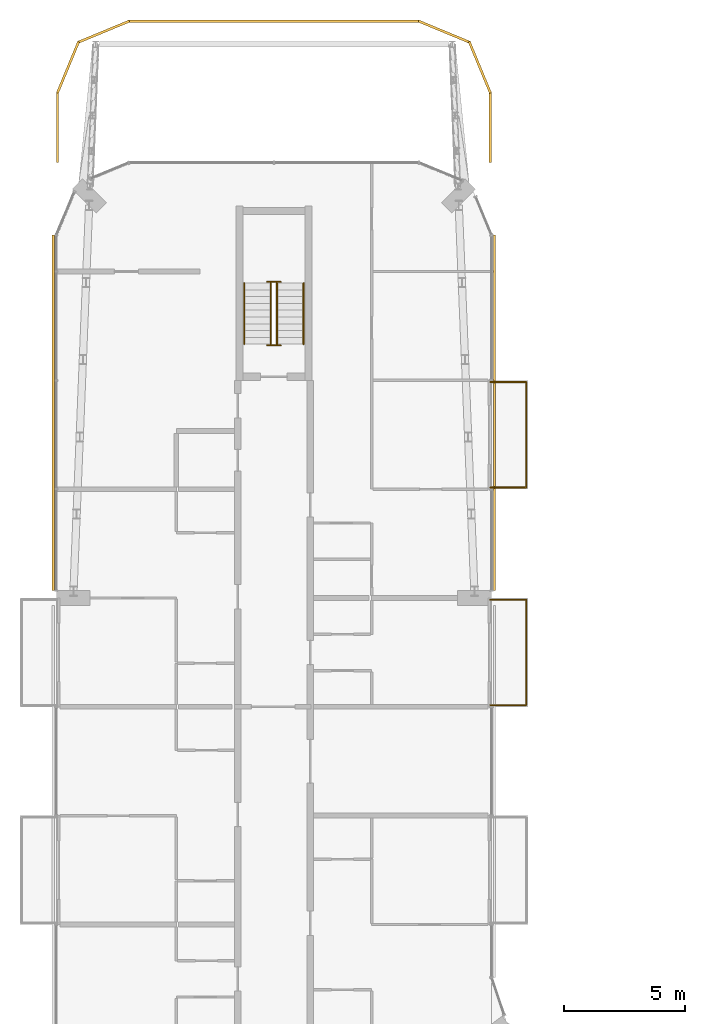
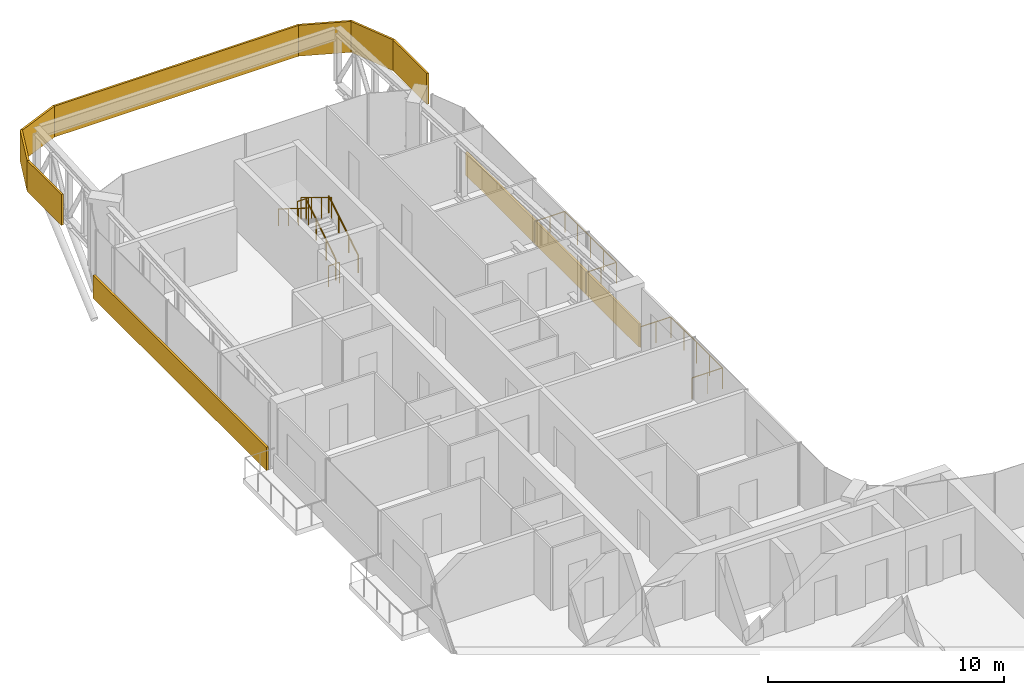
# One storey, part 17 of 17: 9 coverings, 8 railings.
"""IFC4 building model written with IfcOpenShell, lengths in metres."""

from ifc_helpers import new_model, si_unit, direction, frame, origin, origin_2d, place, context, subcontext, project, spatial, rectangle, circle, extrude, material, layer, layer_set, type_object, element, save


model = new_model("IFC4")

# Units and contexts
model_context = context("Model", 3, precision=1e-05, world=origin(), true_north=direction((0.0, 1.0)))
body_context = subcontext(model_context, "Body", "Model", "MODEL_VIEW")
ifc_project = project(units=[si_unit("LENGTHUNIT", "METRE"), si_unit("AREAUNIT", "SQUARE_METRE"), si_unit("VOLUMEUNIT", "CUBIC_METRE"), si_unit("PLANEANGLEUNIT", "RADIAN"), si_unit("MASSUNIT", "GRAM", prefix="KILO")], contexts=[model_context])

# Site, building, storey
site_placement = place(None, origin())
site = spatial("IfcSite", under=ifc_project, at=site_placement, CompositionType="ELEMENT")
building_placement = place(site_placement, origin())
building = spatial("IfcBuilding", under=site, at=building_placement, Name="Plateau Cross Towers", CompositionType="ELEMENT")
storey_placement = place(building_placement, frame((0.0, 0.0, 222.39990234375)))
storey = spatial("IfcBuildingStorey", under=building, at=storey_placement, Name="L58", CompositionType="ELEMENT", Elevation=222.39990234375)

# Coverings
ifc_material_1 = material(Name="Aluminium composite cladding", Category="aluminium")
ifc_layer_1 = layer(ifc_material_1, 0.10009765625)
ifc_layer_set_1 = layer_set([ifc_layer_1], Name="Aluminium composite cladding")
covering_type_1 = type_object("IfcCoveringType", Name="Deck fascia panel 100", PredefinedType="CLADDING", material=ifc_layer_set_1)
covering_1_placement = place(storey_placement, frame((17.949951171875, 55.449951171875, 1.650146484375), z_axis=(0.0, 0.0, 1.0), x_axis=(0.0, 1.0, 0.0)))
element("IfcCovering", 1, at=covering_1_placement, inside=storey, type_object=covering_type_1, Name="Deck fascia 1", PredefinedType="CLADDING", context=body_context, shape_type="SweptSolid", body=[
    extrude(rectangle(XDim=2.89990234375, YDim=0.10009765625, at=origin_2d()), origin(), (0.0, 0.0, 1.0), 1.60009765625),
])
for number, where, z_axis, x_axis, name in (
    (2, (17.514404296875, 57.94140625, 1.650146484375), (0.0, 0.0, 1.0), (-0.382683609737, 0.923879459041, 0.0), "Deck fascia 2"),
    (3, (16.04150390625, 59.41455078125, 1.650146484375), (0.0, 0.0, 1.0), (-0.923879459041, 0.382683609737, 0.0), "Deck fascia 3"),
):
    element("IfcCovering", number, at=place(storey_placement, frame(where, z_axis=z_axis, x_axis=x_axis)), inside=storey, type_object=covering_type_1, Name=name, PredefinedType="CLADDING", context=body_context, shape_type="SweptSolid", body=[
        extrude(rectangle(XDim=2.296142578125, YDim=0.10009765625, at=origin_2d()), origin(), (0.0, 0.0, 1.0), 1.60009765625),
    ])
covering_2_placement = place(storey_placement, frame((9.0, 59.85009765625, 1.650146484375), z_axis=(0.0, 0.0, 1.0), x_axis=(-1.0, 0.0, 0.0)))
element("IfcCovering", 4, at=covering_2_placement, inside=storey, type_object=covering_type_1, Name="Deck fascia 4", PredefinedType="CLADDING", context=body_context, shape_type="SweptSolid", body=[
    extrude(rectangle(XDim=12.0, YDim=0.10009765625, at=origin_2d()), origin(), (0.0, 0.0, 1.0), 1.60009765625),
])
for number, where, z_axis, x_axis, name in (
    (5, (1.95849609375, 59.41455078125, 1.650146484375), (0.0, 0.0, 1.0), (-0.923879459041, -0.382683609737, 0.0), "Deck fascia 5"),
    (6, (0.485595703125, 57.94140625, 1.650146484375), (0.0, 0.0, 1.0), (-0.382683609737, -0.923879459041, 0.0), "Deck fascia 6"),
):
    element("IfcCovering", number, at=place(storey_placement, frame(where, z_axis=z_axis, x_axis=x_axis)), inside=storey, type_object=covering_type_1, Name=name, PredefinedType="CLADDING", context=body_context, shape_type="SweptSolid", body=[
        extrude(rectangle(XDim=2.296142578125, YDim=0.10009765625, at=origin_2d()), origin(), (0.0, 0.0, 1.0), 1.60009765625),
    ])
covering_3_placement = place(storey_placement, frame((0.050048828125, 55.449951171875, 1.650146484375), z_axis=(0.0, 0.0, 1.0), x_axis=(0.0, -1.0, 0.0)))
element("IfcCovering", 7, at=covering_3_placement, inside=storey, type_object=covering_type_1, Name="Deck fascia 7", PredefinedType="CLADDING", context=body_context, shape_type="SweptSolid", body=[
    extrude(rectangle(XDim=2.89990234375, YDim=0.10009765625, at=origin_2d()), origin(), (0.0, 0.0, 1.0), 1.60009765625),
])

# Railings
ifc_material_2 = material(Name="Stainless steel and toughened glass", Category="steel")
railing_type_1 = type_object("IfcRailingType", Name="Glass balustrade guard 1100", PredefinedType="GUARDRAIL", material=ifc_material_2)
for number, where, name in (
    (8, (17.949951171875, 35.929931640625, 0.0), "Guard guard1"),
    (9, (17.949951171875, 44.929931640625, 0.0), "Guard guard1"),
):
    element("IfcRailing", number, at=place(storey_placement, frame(where)), inside=storey, type_object=railing_type_1, Name=name, PredefinedType="GUARDRAIL", context=body_context, shape_type="SweptSolid", body=[
        extrude(circle(Radius=0.02392578125, at=origin_2d()), frame((0.0, 0.0, 1.076171875), z_axis=(1.0, 0.0, 0.0), x_axis=(0.0, 1.0, 0.0)), (0.0, 0.0, 1.0), 1.47998046875),
        extrude(circle(Radius=0.02392578125, at=origin_2d()), frame((1.47998046875, 0.0, 1.076171875), z_axis=(0.0, -1.0, 0.0), x_axis=(1.0, 0.0, 0.0)), (0.0, 0.0, 1.0), 4.35986328125),
        extrude(circle(Radius=0.02392578125, at=origin_2d()), frame((1.47998046875, -4.35986328125, 1.076171875), z_axis=(-1.0, 0.0, 0.0), x_axis=(0.0, -1.0, 0.0)), (0.0, 0.0, 1.0), 1.47998046875),
        extrude(circle(Radius=0.02099609375, at=origin_2d()), origin(), (0.0, 0.0, 1.0), 1.052001953125),
        extrude(circle(Radius=0.02099609375, at=origin_2d()), frame((0.739990234375, 0.0, 0.0)), (0.0, 0.0, 1.0), 1.052001953125),
        extrude(circle(Radius=0.02099609375, at=origin_2d()), frame((1.47998046875, 0.0, 0.0)), (0.0, 0.0, 1.0), 1.052001953125),
        extrude(circle(Radius=0.02099609375, at=origin_2d()), frame((1.47998046875, -1.08984375, 0.0)), (0.0, 0.0, 1.0), 1.052001953125),
        extrude(circle(Radius=0.02099609375, at=origin_2d()), frame((1.47998046875, -2.179931640625, 0.0)), (0.0, 0.0, 1.0), 1.052001953125),
        extrude(circle(Radius=0.02099609375, at=origin_2d()), frame((1.47998046875, -3.27001953125, 0.0)), (0.0, 0.0, 1.0), 1.052001953125),
        extrude(circle(Radius=0.02099609375, at=origin_2d()), frame((1.47998046875, -4.35986328125, 0.0)), (0.0, 0.0, 1.0), 1.052001953125),
        extrude(circle(Radius=0.02099609375, at=origin_2d()), frame((0.739990234375, -4.35986328125, 0.0)), (0.0, 0.0, 1.0), 1.052001953125),
        extrude(circle(Radius=0.02099609375, at=origin_2d()), frame((0.0, -4.35986328125, 0.0)), (0.0, 0.0, 1.0), 1.052001953125),
    ])
railing_type_2 = type_object("IfcRailingType", Name="RL-GUARD-1100", PredefinedType="GUARDRAIL", material=ifc_material_2)
railing_1_placement = place(storey_placement, frame((9.125, 46.5, 0.175048828125)))
element("IfcRailing", 10, at=railing_1_placement, inside=storey, type_object=railing_type_2, Name="L58 ES-N stair guard 1", PredefinedType="GUARDRAIL", context=body_context, shape_type="SweptSolid", body=[
    extrude(circle(Radius=0.02392578125, at=origin_2d()), frame((0.0, 0.0, 1.076171875), z_axis=(0.0, 0.848007534815, 0.529984170421), x_axis=(-1.0, 0.0, 0.0)), (0.0, 0.0, 1.0), 2.9716796875),
    extrude(circle(Radius=0.02099609375, at=origin_2d()), origin(), (0.0, 0.0, 1.0), 1.052001953125),
    extrude(circle(Radius=0.02099609375, at=origin_2d()), frame((0.0, 0.840087890625, 0.52490234375)), (0.0, 0.0, 1.0), 1.052001953125),
    extrude(circle(Radius=0.02099609375, at=origin_2d()), frame((0.0, 1.679931640625, 1.050048828125)), (0.0, 0.0, 1.0), 1.052001953125),
    extrude(circle(Radius=0.02099609375, at=origin_2d()), frame((0.0, 2.52001953125, 1.574951171875)), (0.0, 0.0, 1.0), 1.052001953125),
])
railing_2_placement = place(storey_placement, frame((9.27490234375, 49.070068359375, 1.75)))
element("IfcRailing", 11, at=railing_2_placement, inside=storey, type_object=railing_type_2, Name="L58 ES-N stair guard 2", PredefinedType="GUARDRAIL", context=body_context, shape_type="SweptSolid", body=[
    extrude(circle(Radius=0.02392578125, at=origin_2d()), frame((0.0, 0.0, 1.076171875), z_axis=(-1.0, 0.0, 0.0), x_axis=(0.0, -1.0, 0.0)), (0.0, 0.0, 1.0), 0.5498046875),
    extrude(circle(Radius=0.02099609375, at=origin_2d()), origin(), (0.0, 0.0, 1.0), 1.052001953125),
    extrude(circle(Radius=0.02099609375, at=origin_2d()), frame((-0.5498046875, 0.0, 0.0)), (0.0, 0.0, 1.0), 1.052001953125),
])
railing_3_placement = place(storey_placement, frame((8.875, 49.02001953125, 1.925048828125)))
element("IfcRailing", 12, at=railing_3_placement, inside=storey, type_object=railing_type_2, Name="L58 ES-N stair guard 3", PredefinedType="GUARDRAIL", context=body_context, shape_type="SweptSolid", body=[
    extrude(circle(Radius=0.02392578125, at=origin_2d()), frame((0.0, 0.0, 1.076171875), z_axis=(0.0, -0.852638500773, 0.522501279423), x_axis=(1.0, 0.0, 0.0)), (0.0, 0.0, 1.0), 3.01416015625),
    extrude(circle(Radius=0.02099609375, at=origin_2d()), origin(), (0.0, 0.0, 1.0), 1.052001953125),
    extrude(circle(Radius=0.02099609375, at=origin_2d()), frame((0.0, -0.856689453125, 0.52490234375)), (0.0, 0.0, 1.0), 1.052001953125),
    extrude(circle(Radius=0.02099609375, at=origin_2d()), frame((0.0, -1.71337890625, 1.050048828125)), (0.0, 0.0, 1.0), 1.052001953125),
    extrude(circle(Radius=0.02099609375, at=origin_2d()), frame((0.0, -2.570068359375, 1.574951171875)), (0.0, 0.0, 1.0), 1.052001953125),
])
railing_4_placement = place(storey_placement, frame((9.27490234375, 46.449951171875, 0.0)))
element("IfcRailing", 13, at=railing_4_placement, inside=storey, type_object=railing_type_2, Name="L58 ES-N stair guard 4", PredefinedType="GUARDRAIL", context=body_context, shape_type="SweptSolid", body=[
    extrude(circle(Radius=0.02392578125, at=origin_2d()), frame((0.0, 0.0, 1.076171875), z_axis=(-1.0, 0.0, 0.0), x_axis=(0.0, -1.0, 0.0)), (0.0, 0.0, 1.0), 0.5498046875),
    extrude(circle(Radius=0.02099609375, at=origin_2d()), origin(), (0.0, 0.0, 1.0), 1.052001953125),
    extrude(circle(Radius=0.02099609375, at=origin_2d()), frame((-0.5498046875, 0.0, 0.0)), (0.0, 0.0, 1.0), 1.052001953125),
])
ifc_material_3 = material(Name="Black anodised aluminium", Category="aluminium")
railing_type_3 = type_object("IfcRailingType", Name="RL-HANDRAIL-900", PredefinedType="HANDRAIL", material=ifc_material_3)
railing_5_placement = place(storey_placement, frame((10.22509765625, 46.5, 0.175048828125)))
element("IfcRailing", 14, at=railing_5_placement, inside=storey, type_object=railing_type_3, Name="L58 ES-N stair handrail 1", PredefinedType="HANDRAIL", context=body_context, shape_type="SweptSolid", body=[
    extrude(circle(Radius=0.02392578125, at=origin_2d()), frame((0.0, 0.0, 0.8759765625), z_axis=(0.0, 0.848007534815, 0.529984170421), x_axis=(-1.0, 0.0, 0.0)), (0.0, 0.0, 1.0), 2.9716796875),
    extrude(circle(Radius=0.02099609375, at=origin_2d()), origin(), (0.0, 0.0, 1.0), 0.851806640625),
    extrude(circle(Radius=0.02099609375, at=origin_2d()), frame((0.0, 0.840087890625, 0.52490234375)), (0.0, 0.0, 1.0), 0.851806640625),
    extrude(circle(Radius=0.02099609375, at=origin_2d()), frame((0.0, 1.679931640625, 1.050048828125)), (0.0, 0.0, 1.0), 0.851806640625),
    extrude(circle(Radius=0.02099609375, at=origin_2d()), frame((0.0, 2.52001953125, 1.574951171875)), (0.0, 0.0, 1.0), 0.851806640625),
])
railing_6_placement = place(storey_placement, frame((7.77490234375, 49.02001953125, 1.925048828125)))
element("IfcRailing", 15, at=railing_6_placement, inside=storey, type_object=railing_type_3, Name="L58 ES-N stair handrail 2", PredefinedType="HANDRAIL", context=body_context, shape_type="SweptSolid", body=[
    extrude(circle(Radius=0.02392578125, at=origin_2d()), frame((0.0, 0.0, 0.8759765625), z_axis=(0.0, -0.848007534815, 0.529984170421), x_axis=(1.0, 0.0, 0.0)), (0.0, 0.0, 1.0), 2.9716796875),
    extrude(circle(Radius=0.02099609375, at=origin_2d()), origin(), (0.0, 0.0, 1.0), 0.851806640625),
    extrude(circle(Radius=0.02099609375, at=origin_2d()), frame((0.0, -0.840087890625, 0.52490234375)), (0.0, 0.0, 1.0), 0.851806640625),
    extrude(circle(Radius=0.02099609375, at=origin_2d()), frame((0.0, -1.679931640625, 1.050048828125)), (0.0, 0.0, 1.0), 0.851806640625),
    extrude(circle(Radius=0.02099609375, at=origin_2d()), frame((0.0, -2.52001953125, 1.574951171875)), (0.0, 0.0, 1.0), 0.851806640625),
])

# Coverings
ifc_material_4 = material(Name="Precast concrete cladding C40/50", Category="concrete")
ifc_layer_2 = layer(ifc_material_4, 0.10009765625)
ifc_layer_set_2 = layer_set([ifc_layer_2], Name="Precast concrete cladding C40/50")
covering_type_2 = type_object("IfcCoveringType", Name="Spandrel band cladding 100x1200", PredefinedType="CLADDING", material=ifc_layer_set_2)
for number, where, z_axis, x_axis, name in (
    (16, (18.1201171875, 43.64990234375, -0.25), (0.0, 0.0, 1.0), (0.0, 1.0, 0.0), "Spandrel band"),
    (17, (-0.1201171875, 43.64990234375, -0.25), (0.0, 0.0, 1.0), (0.0, -1.0, 0.0), "Spandrel band"),
):
    element("IfcCovering", number, at=place(storey_placement, frame(where, z_axis=z_axis, x_axis=x_axis)), inside=storey, type_object=covering_type_2, Name=name, PredefinedType="CLADDING", context=body_context, shape_type="SweptSolid", body=[
        extrude(rectangle(XDim=14.699951171875, YDim=0.10009765625, at=origin_2d()), origin(), (0.0, 0.0, 1.0), 1.199951171875),
    ])

save(model, "model.ifc")
